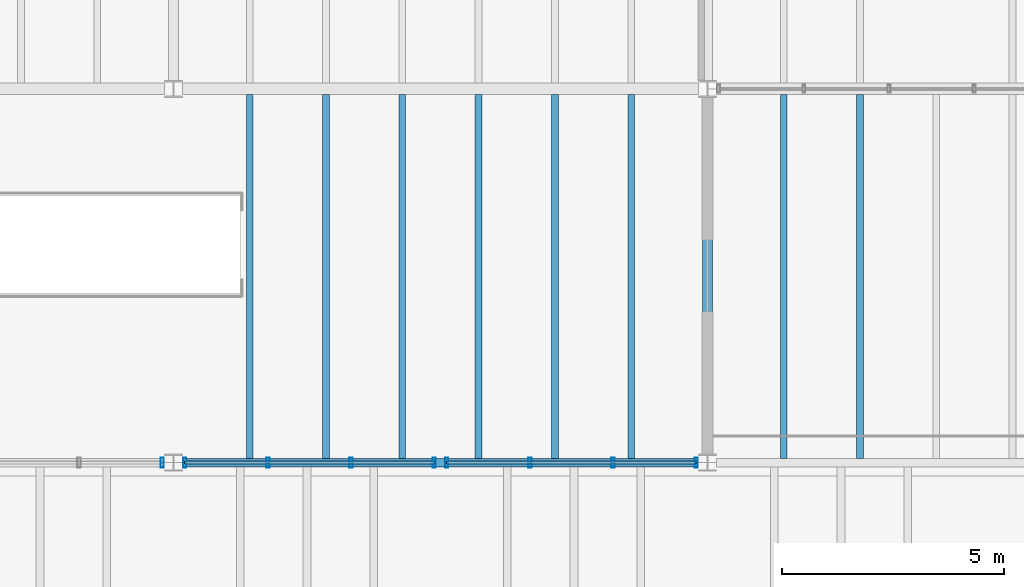
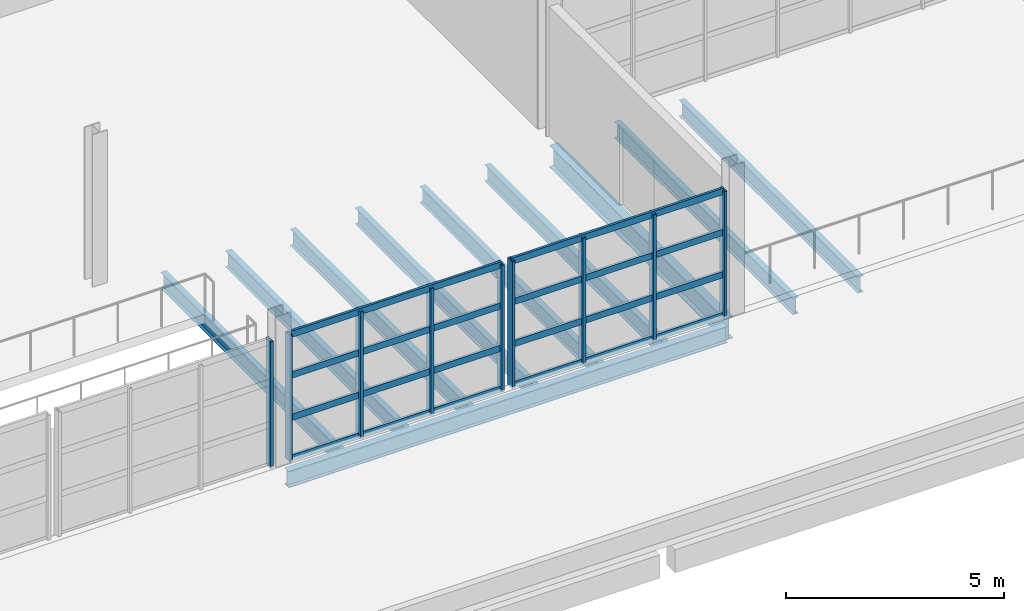
# One storey, part 36 of 114: 17 members, 10 beams, 3 elements without a shape of their own.
"""IFC4 building model written with IfcOpenShell, lengths in metres."""

import ifcopenshell
import ifcopenshell.guid

model = None  # the IFC model being written
_history = None  # IfcOwnerHistory: only IFC2X3 demands one
_inside = {}  # id of a spatial element -> (the spatial element, [elements in it])
_under = {}  # id of a project, library or spatial element -> (it, [spatial elements below it])
_declared = {}  # id of a project -> (the project, [libraries it declares])
_typed = {}  # id of a type object -> (the type object, [elements of that type])
_made_of = {}  # id of a material, layer set ... -> (it, [elements and type objects made of it])


def new_model(schema):
    """Start an empty IFC model of exactly this schema.

    Asked for "IFC4X3", IfcOpenShell would pick the latest addendum, in which some entities
    have other attributes; the version numbers below select the first issue.
    IFC2X3 requires an IfcOwnerHistory on every rooted entity: one is made here for all.
    """
    global model, _history
    if schema == "IFC4X3":
        model = ifcopenshell.file(schema_version=(4, 3, 0, 0))
    else:
        model = ifcopenshell.file(schema=schema)
    _inside.clear()
    _under.clear()
    _declared.clear()
    _typed.clear()
    _made_of.clear()
    _history = None
    if model.schema == "IFC2X3":
        org = make("IfcOrganization", Name="unknown")
        user = make(
            "IfcPersonAndOrganization",
            ThePerson=make("IfcPerson", FamilyName="unknown"),
            TheOrganization=org,
        )
        app = make(
            "IfcApplication",
            ApplicationDeveloper=org,
            Version="unknown",
            ApplicationFullName="unknown",
            ApplicationIdentifier="unknown",
        )
        _history = make(
            "IfcOwnerHistory",
            OwningUser=user,
            OwningApplication=app,
            ChangeAction="ADDED",
            CreationDate=0,
        )
    return model


def make(cls, **values):
    """One entity of the class cls with the attributes given. An attribute that is None is left unset."""
    return model.create_entity(
        cls, **{name: value for name, value in values.items() if value is not None}
    )


def rooted(cls, **values):
    """An entity with a GlobalId (a new one), such as an element, a storey or a relation."""
    return make(cls, GlobalId=ifcopenshell.guid.new(), OwnerHistory=_history, **values)


def si_unit(unit_type, name, prefix=None):
    """IfcSIUnit, for example si_unit("LENGTHUNIT", "METRE", prefix="MILLI")."""
    return make("IfcSIUnit", UnitType=unit_type, Prefix=prefix, Name=name)


def assignment(units):
    """IfcUnitAssignment: the units of a project."""
    return None if units is None else make("IfcUnitAssignment", Units=units)


def point(xyz):
    """IfcCartesianPoint."""
    return None if xyz is None else make("IfcCartesianPoint", Coordinates=xyz)


def direction(xyz):
    """IfcDirection."""
    return None if xyz is None else make("IfcDirection", DirectionRatios=xyz)


def frame(location, z_axis=None, x_axis=None):
    """IfcAxis2Placement3D, a coordinate frame: its origin and axes. An axis left out is left unset."""
    return make(
        "IfcAxis2Placement3D",
        Location=point(location),
        Axis=direction(z_axis),
        RefDirection=direction(x_axis),
    )


def frame_2d(location, x_axis=None):
    """IfcAxis2Placement2D, a coordinate frame in the plane: its origin and x axis."""
    return make(
        "IfcAxis2Placement2D", Location=point(location), RefDirection=direction(x_axis)
    )


def origin():
    """The frame at (0, 0, 0) with its axes left unset."""
    return frame((0.0, 0.0, 0.0))


def origin_2d():
    """The frame at (0, 0) in the plane with its x axis left unset."""
    return frame_2d((0.0, 0.0))


def place(relative_to, where):
    """IfcLocalPlacement: puts the frame where relative to a parent placement (None: the world)."""
    return make(
        "IfcLocalPlacement", PlacementRelTo=relative_to, RelativePlacement=where
    )


def context(
    kind, dimensions, precision=None, world=None, true_north=None, identifier=None
):
    """IfcGeometricRepresentationContext, for example the 3D "Model" context."""
    return make(
        "IfcGeometricRepresentationContext",
        ContextIdentifier=identifier,
        ContextType=kind,
        CoordinateSpaceDimension=dimensions,
        Precision=precision,
        WorldCoordinateSystem=world,
        TrueNorth=true_north,
    )


def subcontext(parent, identifier, kind, view, scale=None):
    """IfcGeometricRepresentationSubContext, for example "Body" below "Model"."""
    return make(
        "IfcGeometricRepresentationSubContext",
        ContextIdentifier=identifier,
        ContextType=kind,
        ParentContext=parent,
        TargetScale=scale,
        TargetView=view,
    )


def project(units=None, contexts=None):
    """IfcProject with its units and contexts."""
    return rooted(
        "IfcProject",
        Name="project",
        RepresentationContexts=contexts,
        UnitsInContext=assignment(units),
    )


def spatial(cls, under=None, at=None, **own):
    """A site, building, storey or space (cls), placed at a placement, below another one or the project."""
    s = rooted(cls, ObjectPlacement=at, **own)
    if under is not None:
        _under.setdefault(under.id(), (under, []))[1].append(s)
    return s


def profile(cls, at=None, kind="AREA", **sizes):
    """A parametric profile (cls). Its sizes go by their IFC names, for example OverallWidth=200.0."""
    return make(cls, ProfileType=kind, Position=at, **sizes)


def hollow_rectangle(**sizes):
    """IfcRectangleHollowProfileDef."""
    return profile("IfcRectangleHollowProfileDef", **sizes)


def i_section(**sizes):
    """IfcIShapeProfileDef."""
    return profile("IfcIShapeProfileDef", **sizes)


def extrude(swept, where, along, depth):
    """IfcExtrudedAreaSolid: the profile swept, set in the frame where, extruded along a direction by depth."""
    return make(
        "IfcExtrudedAreaSolid",
        SweptArea=swept,
        Position=where,
        ExtrudedDirection=direction(along),
        Depth=depth,
    )


def shape(context_of_items, identifier, shape_type, items):
    """IfcShapeRepresentation: the items that make up one representation, for example the "Body"."""
    return make(
        "IfcShapeRepresentation",
        ContextOfItems=context_of_items,
        RepresentationIdentifier=identifier,
        RepresentationType=shape_type,
        Items=items,
    )


def material(Name=None, Category=None):
    """IfcMaterial."""
    return make("IfcMaterial", Name=Name, Category=Category)


def material_profile(
    of_material, cross_section, Name=None, Category=None, Priority=None
):
    """IfcMaterialProfile: a cross section and its material."""
    return make(
        "IfcMaterialProfile",
        Name=Name,
        Material=of_material,
        Profile=cross_section,
        Priority=Priority,
        Category=Category,
    )


def profile_set(profiles, Name=None, composite=None):
    """IfcMaterialProfileSet."""
    return make(
        "IfcMaterialProfileSet",
        Name=Name,
        MaterialProfiles=profiles,
        CompositeProfile=composite,
    )


def made_of(thing, what):
    """Note that an element or type object is made of a material, layer set ...; save() writes the relation."""
    if what is not None:
        _made_of.setdefault(what.id(), (what, []))[1].append(thing)
    return thing


def type_object(cls, material=None, **own):
    """A type object (cls), such as IfcWallType, which elements share."""
    return made_of(rooted(cls, **own), material)


def element(
    cls,
    number,
    at=None,
    inside=None,
    cuts=None,
    type_object=None,
    material=None,
    context=None,
    identifier="Body",
    shape_type=None,
    held_by="IfcProductDefinitionShape",
    body=None,
    shapes=None,
    **own,
):
    """One element of the class cls, such as IfcWall. Its Tag is "e" and its number.

    at: its placement. inside: the storey or other place that contains it. cuts: it is an
    opening in that element (IfcRelVoidsElement). A single representation is given by context,
    identifier, shape_type and body (its items); several are given by shapes. held_by: the class
    of the entity that holds the representations. save() writes the other relations.
    """
    e = rooted(cls, Tag="e%d" % number, ObjectPlacement=at, **own)
    if body is not None:
        shapes = [shape(context, identifier, shape_type, body)]
    if shapes is not None:
        e.Representation = make(held_by, Representations=shapes)
    if inside is not None:
        _inside.setdefault(inside.id(), (inside, []))[1].append(e)
    if cuts is not None:
        rooted(
            "IfcRelVoidsElement", RelatingBuildingElement=cuts, RelatedOpeningElement=e
        )
    if type_object is not None:
        _typed.setdefault(type_object.id(), (type_object, []))[1].append(e)
    return made_of(e, material)


def aggregate(whole, parts):
    """IfcRelAggregates: a whole, such as a stair, and the parts it consists of."""
    return rooted("IfcRelAggregates", RelatingObject=whole, RelatedObjects=parts)


def save(model, path):
    """Write the relations noted so far, then the file.

    IfcRelAggregates (storeys below a building ...), IfcRelContainedInSpatialStructure (elements
    in a storey), IfcRelDefinesByType, IfcRelAssociatesMaterial and IfcRelDeclares: one each for
    every whole, place, type object, material and project.
    """
    for whole, parts in _under.values():
        aggregate(whole, parts)
    for where, things in _inside.values():
        rooted(
            "IfcRelContainedInSpatialStructure",
            RelatedElements=things,
            RelatingStructure=where,
        )
    for kind, things in _typed.values():
        rooted("IfcRelDefinesByType", RelatedObjects=things, RelatingType=kind)
    for what, things in _made_of.values():
        rooted("IfcRelAssociatesMaterial", RelatedObjects=things, RelatingMaterial=what)
    for by, libraries in _declared.values():
        rooted("IfcRelDeclares", RelatingContext=by, RelatedDefinitions=libraries)
    model.write(path)


model = new_model("IFC4")

# Units and contexts
model_context = context("Model", 3, precision=1e-05, world=origin(), true_north=direction((0.0, 1.0)))
body_context = subcontext(model_context, "Body", "Model", "MODEL_VIEW")
ifc_project = project(units=[si_unit("LENGTHUNIT", "METRE"), si_unit("AREAUNIT", "SQUARE_METRE"), si_unit("VOLUMEUNIT", "CUBIC_METRE"), si_unit("PLANEANGLEUNIT", "RADIAN"), si_unit("MASSUNIT", "GRAM", prefix="KILO")], contexts=[model_context])

# Site, building, storey
site_placement = place(None, origin())
site = spatial("IfcSite", under=ifc_project, at=site_placement, CompositionType="ELEMENT")
building_placement = place(site_placement, origin())
building = spatial("IfcBuilding", under=site, at=building_placement, Name="Kelmvaro Bay Concert Hall", CompositionType="ELEMENT")
storey_placement = place(building_placement, frame((0.0, 0.0, 4.800048828125)))
storey = spatial("IfcBuildingStorey", under=building, at=storey_placement, Name="L01", CompositionType="ELEMENT", Elevation=4.800048828125)

# Beam
ifc_material_1 = material(Name="Steel ASTM A992 Grade 50", Category="steel")
ifc_material_profile_1 = material_profile(ifc_material_1, i_section(OverallWidth=0.19189453125, OverallDepth=0.4619140625, WebThickness=0.010498046875, FlangeThickness=0.017578125, at=origin_2d()), Name="W18X60")
ifc_profile_set_1 = profile_set([ifc_material_profile_1], Name="Steel ASTM A992 Grade 50")
beam_type_1 = type_object("IfcBeamType", Name="Canopy Primary Frame Beam W18x60", PredefinedType="BEAM", material=ifc_profile_set_1)
beam_1_placement = place(storey_placement, frame((96.197998046875, 7.199951171875, -0.48095703125), z_axis=(1.0, 0.0, 0.0), x_axis=(0.0, 1.0, 0.0)))
element("IfcBeam", 1, at=beam_1_placement, inside=storey, type_object=beam_type_1, Name="L01 Girder BM-L01-EW-0014", PredefinedType="BEAM", context=body_context, shape_type="SweptSolid", body=[
    extrude(i_section(OverallWidth=0.19189453125, OverallDepth=0.4619140625, WebThickness=0.010498046875, FlangeThickness=0.017578125, at=origin_2d()), origin(), (0.0, 0.0, 1.0), 11.60400390625),
])

# Curtain wall, member
ifc_material_2 = material(Name="Anodised Aluminium and Low-E Insulated Glazing", Category="aluminium")
curtain_wall_type = type_object("IfcCurtainWallType", Name="Mezzanine Concourse Curtain Wall 4100", PredefinedType="USERDEFINED", material=ifc_material_2)
curtain_wall_1_placement = place(storey_placement, origin())
curtain_wall_1 = element("IfcCurtainWall", 2, at=curtain_wall_1_placement, inside=storey, type_object=curtain_wall_type, Name="Unitised Curtain Wall CW-L01-062", ObjectType="UNITISED GLAZING", PredefinedType="USERDEFINED")
ifc_material_3 = material(Name="Anodised Extruded Aluminium 6063-T6", Category="aluminium")
ifc_material_profile_2 = material_profile(ifc_material_3, hollow_rectangle(XDim=0.074951171875, YDim=0.219970703125, WallThickness=0.00439453125, at=origin_2d()), Name="ALU-MUL-220X75")
ifc_profile_set_2 = profile_set([ifc_material_profile_2], Name="Anodised Extruded Aluminium 6063-T6")
member_type_1 = type_object("IfcMemberType", Name="Curtain Mullion Heavy ALU 220x75", PredefinedType="MULLION", material=ifc_profile_set_2)
member_1_placement = place(storey_placement, frame((95.7470703125, 7.199951171875, 0.0), z_axis=(0.0, 0.0, 1.0), x_axis=(1.0, 0.0, 0.0)))
member_1 = element("IfcMember", 3, at=member_1_placement, type_object=member_type_1, Name="CW-L01-062 Mullion 01", PredefinedType="MULLION", context=body_context, shape_type="SweptSolid", body=[
    extrude(hollow_rectangle(XDim=0.074951171875, YDim=0.219970703125, WallThickness=0.00439453125, at=origin_2d()), origin(), (0.0, 0.0, 1.0), 3.546875),
])
aggregate(curtain_wall_1, [member_1])

# Curtain wall, members
curtain_wall_2_placement = place(storey_placement, origin())
curtain_wall_2 = element("IfcCurtainWall", 4, at=curtain_wall_2_placement, inside=storey, type_object=curtain_wall_type, Name="Unitised Curtain Wall CW-L01-063", ObjectType="UNITISED GLAZING", PredefinedType="USERDEFINED")
member_2_placement = place(storey_placement, frame((101.860107421875, 7.199951171875, 0.0), z_axis=(0.0, 0.0, 1.0), x_axis=(1.0, 0.0, 0.0)))
member_2 = element("IfcMember", 5, at=member_2_placement, type_object=member_type_1, Name="CW-L01-063 Mullion 01", PredefinedType="MULLION", context=body_context, shape_type="SweptSolid", body=[
    extrude(hollow_rectangle(XDim=0.074951171875, YDim=0.219970703125, WallThickness=0.00439453125, at=origin_2d()), origin(), (0.0, 0.0, 1.0), 3.546875),
])
member_3_placement = place(storey_placement, frame((99.990966796875, 7.199951171875, 0.0), z_axis=(0.0, 0.0, 1.0), x_axis=(1.0, 0.0, 0.0)))
member_3 = element("IfcMember", 6, at=member_3_placement, type_object=member_type_1, Name="CW-L01-063 Mullion 02", PredefinedType="MULLION", context=body_context, shape_type="SweptSolid", body=[
    extrude(hollow_rectangle(XDim=0.074951171875, YDim=0.219970703125, WallThickness=0.00439453125, at=origin_2d()), origin(), (0.0, 0.0, 1.0), 3.546875),
])
member_4_placement = place(storey_placement, frame((98.1220703125, 7.199951171875, 0.0), z_axis=(0.0, 0.0, 1.0), x_axis=(1.0, 0.0, 0.0)))
member_4 = element("IfcMember", 7, at=member_4_placement, type_object=member_type_1, Name="CW-L01-063 Mullion 03", PredefinedType="MULLION", context=body_context, shape_type="SweptSolid", body=[
    extrude(hollow_rectangle(XDim=0.074951171875, YDim=0.219970703125, WallThickness=0.00439453125, at=origin_2d()), origin(), (0.0, 0.0, 1.0), 3.546875),
])
member_5_placement = place(storey_placement, frame((96.2529296875, 7.199951171875, 0.0), z_axis=(0.0, 0.0, 1.0), x_axis=(1.0, 0.0, 0.0)))
member_5 = element("IfcMember", 8, at=member_5_placement, type_object=member_type_1, Name="CW-L01-063 Mullion 04", PredefinedType="MULLION", context=body_context, shape_type="SweptSolid", body=[
    extrude(hollow_rectangle(XDim=0.074951171875, YDim=0.219970703125, WallThickness=0.00439453125, at=origin_2d()), origin(), (0.0, 0.0, 1.0), 3.546875),
])

curtain_wall_3_placement = place(storey_placement, origin())
curtain_wall_3 = element("IfcCurtainWall", 9, at=curtain_wall_3_placement, inside=storey, type_object=curtain_wall_type, Name="Unitised Curtain Wall CW-L01-064", ObjectType="UNITISED GLAZING", PredefinedType="USERDEFINED")
member_6_placement = place(storey_placement, frame((107.7470703125, 7.199951171875, 0.0), z_axis=(0.0, 0.0, 1.0), x_axis=(1.0, 0.0, 0.0)))
member_6 = element("IfcMember", 10, at=member_6_placement, type_object=member_type_1, Name="CW-L01-064 Mullion 01", PredefinedType="MULLION", context=body_context, shape_type="SweptSolid", body=[
    extrude(hollow_rectangle(XDim=0.074951171875, YDim=0.219970703125, WallThickness=0.00439453125, at=origin_2d()), origin(), (0.0, 0.0, 1.0), 3.546875),
])
member_7_placement = place(storey_placement, frame((105.8779296875, 7.199951171875, 0.0), z_axis=(0.0, 0.0, 1.0), x_axis=(1.0, 0.0, 0.0)))
member_7 = element("IfcMember", 11, at=member_7_placement, type_object=member_type_1, Name="CW-L01-064 Mullion 02", PredefinedType="MULLION", context=body_context, shape_type="SweptSolid", body=[
    extrude(hollow_rectangle(XDim=0.074951171875, YDim=0.219970703125, WallThickness=0.00439453125, at=origin_2d()), origin(), (0.0, 0.0, 1.0), 3.546875),
])
member_8_placement = place(storey_placement, frame((104.009033203125, 7.199951171875, 0.0), z_axis=(0.0, 0.0, 1.0), x_axis=(1.0, 0.0, 0.0)))
member_8 = element("IfcMember", 12, at=member_8_placement, type_object=member_type_1, Name="CW-L01-064 Mullion 03", PredefinedType="MULLION", context=body_context, shape_type="SweptSolid", body=[
    extrude(hollow_rectangle(XDim=0.074951171875, YDim=0.219970703125, WallThickness=0.00439453125, at=origin_2d()), origin(), (0.0, 0.0, 1.0), 3.546875),
])
member_9_placement = place(storey_placement, frame((102.139892578125, 7.199951171875, 0.0), z_axis=(0.0, 0.0, 1.0), x_axis=(1.0, 0.0, 0.0)))
member_9 = element("IfcMember", 13, at=member_9_placement, type_object=member_type_1, Name="CW-L01-064 Mullion 04", PredefinedType="MULLION", context=body_context, shape_type="SweptSolid", body=[
    extrude(hollow_rectangle(XDim=0.074951171875, YDim=0.219970703125, WallThickness=0.00439453125, at=origin_2d()), origin(), (0.0, 0.0, 1.0), 3.546875),
])

# Member
ifc_material_4 = material(Name="Anodised Extruded Aluminium 6063-T6", Category="aluminium")
ifc_material_profile_3 = material_profile(ifc_material_4, hollow_rectangle(XDim=0.06494140625, YDim=0.179931640625, WallThickness=0.00439453125, at=origin_2d()), Name="ALU-TRN-180X65")
ifc_profile_set_3 = profile_set([ifc_material_profile_3], Name="Anodised Extruded Aluminium 6063-T6")
member_type_2 = type_object("IfcMemberType", Name="Curtain Transom Heavy ALU 180x65", PredefinedType="USERDEFINED", material=ifc_profile_set_3)
member_10_placement = place(storey_placement, frame((101.860107421875, 7.199951171875, 0.0400390625), z_axis=(-1.0, 0.0, 0.0), x_axis=(0.0, -1.0, 0.0)))
member_10 = element("IfcMember", 14, at=member_10_placement, type_object=member_type_2, Name="CW-L01-063 Transom 01", ObjectType="TRANSOM", PredefinedType="USERDEFINED", context=body_context, shape_type="SweptSolid", body=[
    extrude(hollow_rectangle(XDim=0.06494140625, YDim=0.179931640625, WallThickness=0.00439453125, at=origin_2d()), origin(), (0.0, 0.0, 1.0), 5.607177734375),
])

member_11_placement = place(storey_placement, frame((101.860107421875, 7.199951171875, 1.182373046875), z_axis=(-1.0, 0.0, 0.0), x_axis=(0.0, -1.0, 0.0)))
member_11 = element("IfcMember", 15, at=member_11_placement, type_object=member_type_2, Name="CW-L01-063 Transom 02", ObjectType="TRANSOM", PredefinedType="USERDEFINED", context=body_context, shape_type="SweptSolid", body=[
    extrude(hollow_rectangle(XDim=0.06494140625, YDim=0.179931640625, WallThickness=0.00439453125, at=origin_2d()), origin(), (0.0, 0.0, 1.0), 5.607177734375),
])

member_12_placement = place(storey_placement, frame((101.860107421875, 7.199951171875, 2.36474609375), z_axis=(-1.0, 0.0, 0.0), x_axis=(0.0, -1.0, 0.0)))
member_12 = element("IfcMember", 16, at=member_12_placement, type_object=member_type_2, Name="CW-L01-063 Transom 03", ObjectType="TRANSOM", PredefinedType="USERDEFINED", context=body_context, shape_type="SweptSolid", body=[
    extrude(hollow_rectangle(XDim=0.06494140625, YDim=0.179931640625, WallThickness=0.00439453125, at=origin_2d()), origin(), (0.0, 0.0, 1.0), 5.607177734375),
])

member_13_placement = place(storey_placement, frame((101.860107421875, 7.199951171875, 3.5068359375), z_axis=(-1.0, 0.0, 0.0), x_axis=(0.0, -1.0, 0.0)))
member_13 = element("IfcMember", 17, at=member_13_placement, type_object=member_type_2, Name="CW-L01-063 Transom 04", ObjectType="TRANSOM", PredefinedType="USERDEFINED", context=body_context, shape_type="SweptSolid", body=[
    extrude(hollow_rectangle(XDim=0.06494140625, YDim=0.179931640625, WallThickness=0.00439453125, at=origin_2d()), origin(), (0.0, 0.0, 1.0), 5.607177734375),
])

aggregate(curtain_wall_2, [member_2, member_3, member_4, member_5, member_10, member_11, member_12, member_13])

member_14_placement = place(storey_placement, frame((107.7470703125, 7.199951171875, 0.0400390625), z_axis=(-1.0, 0.0, 0.0), x_axis=(0.0, -1.0, 0.0)))
member_14 = element("IfcMember", 18, at=member_14_placement, type_object=member_type_2, Name="CW-L01-064 Transom 01", ObjectType="TRANSOM", PredefinedType="USERDEFINED", context=body_context, shape_type="SweptSolid", body=[
    extrude(hollow_rectangle(XDim=0.06494140625, YDim=0.179931640625, WallThickness=0.00439453125, at=origin_2d()), origin(), (0.0, 0.0, 1.0), 5.607177734375),
])

member_15_placement = place(storey_placement, frame((107.7470703125, 7.199951171875, 1.182373046875), z_axis=(-1.0, 0.0, 0.0), x_axis=(0.0, -1.0, 0.0)))
member_15 = element("IfcMember", 19, at=member_15_placement, type_object=member_type_2, Name="CW-L01-064 Transom 02", ObjectType="TRANSOM", PredefinedType="USERDEFINED", context=body_context, shape_type="SweptSolid", body=[
    extrude(hollow_rectangle(XDim=0.06494140625, YDim=0.179931640625, WallThickness=0.00439453125, at=origin_2d()), origin(), (0.0, 0.0, 1.0), 5.607177734375),
])

member_16_placement = place(storey_placement, frame((107.7470703125, 7.199951171875, 2.36474609375), z_axis=(-1.0, 0.0, 0.0), x_axis=(0.0, -1.0, 0.0)))
member_16 = element("IfcMember", 20, at=member_16_placement, type_object=member_type_2, Name="CW-L01-064 Transom 03", ObjectType="TRANSOM", PredefinedType="USERDEFINED", context=body_context, shape_type="SweptSolid", body=[
    extrude(hollow_rectangle(XDim=0.06494140625, YDim=0.179931640625, WallThickness=0.00439453125, at=origin_2d()), origin(), (0.0, 0.0, 1.0), 5.607177734375),
])

member_17_placement = place(storey_placement, frame((107.7470703125, 7.199951171875, 3.5068359375), z_axis=(-1.0, 0.0, 0.0), x_axis=(0.0, -1.0, 0.0)))
member_17 = element("IfcMember", 21, at=member_17_placement, type_object=member_type_2, Name="CW-L01-064 Transom 04", ObjectType="TRANSOM", PredefinedType="USERDEFINED", context=body_context, shape_type="SweptSolid", body=[
    extrude(hollow_rectangle(XDim=0.06494140625, YDim=0.179931640625, WallThickness=0.00439453125, at=origin_2d()), origin(), (0.0, 0.0, 1.0), 5.607177734375),
])

aggregate(curtain_wall_3, [member_6, member_7, member_8, member_9, member_14, member_15, member_16, member_17])

# Beams
ifc_material_5 = material(Name="Steel ASTM A992 Grade 50", Category="steel")
ifc_material_profile_4 = material_profile(ifc_material_5, i_section(OverallWidth=0.152099609375, OverallDepth=0.455078125, WebThickness=0.008056640625, FlangeThickness=0.01318359375, at=origin_2d()), Name="W18X40")
ifc_profile_set_4 = profile_set([ifc_material_profile_4], Name="Steel ASTM A992 Grade 50")
beam_type_2 = type_object("IfcBeamType", Name="Foyer Concourse Floor Joist W18x40", PredefinedType="JOIST", material=ifc_profile_set_4)
for number, where, z_axis, x_axis, name in (
    (22, (97.71435546875, 7.2958984375, -0.4775390625), (0.0, 1.0, 0.0), (-1.0, 0.0, 0.0), "L01 Floor Joist JST-L01-0268"),
    (23, (99.4287109375, 7.2958984375, -0.4775390625), (0.0, 1.0, 0.0), (-1.0, 0.0, 0.0), "L01 Floor Joist JST-L01-0269"),
    (24, (101.142822265625, 7.2958984375, -0.4775390625), (0.0, 1.0, 0.0), (-1.0, 0.0, 0.0), "L01 Floor Joist JST-L01-0270"),
    (25, (102.857177734375, 7.2958984375, -0.4775390625), (0.0, 1.0, 0.0), (-1.0, 0.0, 0.0), "L01 Floor Joist JST-L01-0271"),
    (26, (104.5712890625, 7.2958984375, -0.4775390625), (0.0, 1.0, 0.0), (-1.0, 0.0, 0.0), "L01 Floor Joist JST-L01-0272"),
    (27, (106.28564453125, 7.2958984375, -0.4775390625), (0.0, 1.0, 0.0), (-1.0, 0.0, 0.0), "L01 Floor Joist JST-L01-0273"),
    (28, (109.71435546875, 7.2958984375, -0.467529296875), (0.0, 1.0, 0.0), (-1.0, 0.0, 0.0), "L01 Floor Joist JST-L01-0274"),
    (29, (111.4287109375, 7.2958984375, -0.467529296875), (0.0, 1.0, 0.0), (-1.0, 0.0, 0.0), "L01 Floor Joist JST-L01-0275"),
):
    element("IfcBeam", number, at=place(storey_placement, frame(where, z_axis=z_axis, x_axis=x_axis)), inside=storey, type_object=beam_type_2, Name=name, PredefinedType="JOIST", context=body_context, shape_type="SweptSolid", body=[
        extrude(i_section(OverallWidth=0.152099609375, OverallDepth=0.455078125, WebThickness=0.008056640625, FlangeThickness=0.01318359375, at=origin_2d()), origin(), (0.0, 0.0, 1.0), 8.176025390625),
    ])
ifc_material_6 = material(Name="Steel ASTM A992 Grade 50", Category="steel")
ifc_material_profile_5 = material_profile(ifc_material_6, i_section(OverallWidth=0.22900390625, OverallDepth=0.612060546875, WebThickness=0.011962890625, FlangeThickness=0.01953125, at=origin_2d()), Name="W24X84")
ifc_profile_set_5 = profile_set([ifc_material_profile_5], Name="Steel ASTM A992 Grade 50")
beam_type_3 = type_object("IfcBeamType", Name="Terrace Edge Girder W24x84", PredefinedType="BEAM", material=ifc_profile_set_5)
beam_2_placement = place(storey_placement, frame((108.0, 7.390380859375, -0.55615234375), z_axis=(0.0, 1.0, 0.0), x_axis=(-1.0, 0.0, 0.0)))
element("IfcBeam", 30, at=beam_2_placement, inside=storey, type_object=beam_type_3, Name="L01 Girder BM-L01-NS-0175", PredefinedType="BEAM", context=body_context, shape_type="SweptSolid", body=[
    extrude(i_section(OverallWidth=0.22900390625, OverallDepth=0.612060546875, WebThickness=0.011962890625, FlangeThickness=0.01953125, at=origin_2d()), origin(), (0.0, 0.0, 1.0), 8.01904296875),
])

save(model, "model.ifc")
